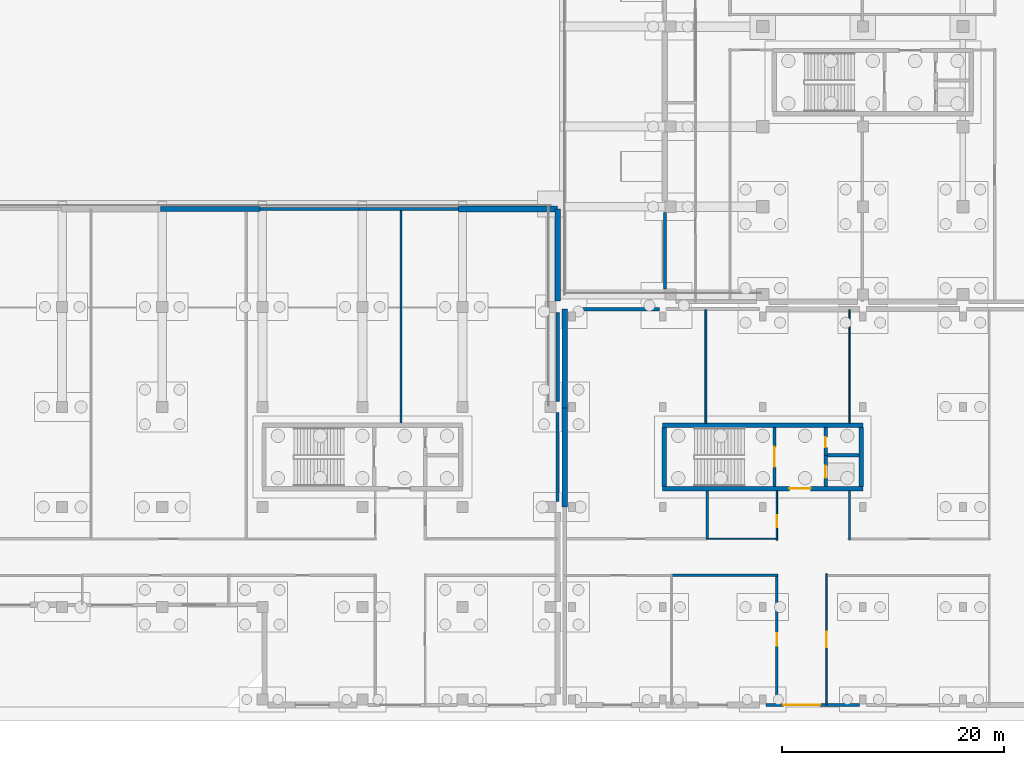
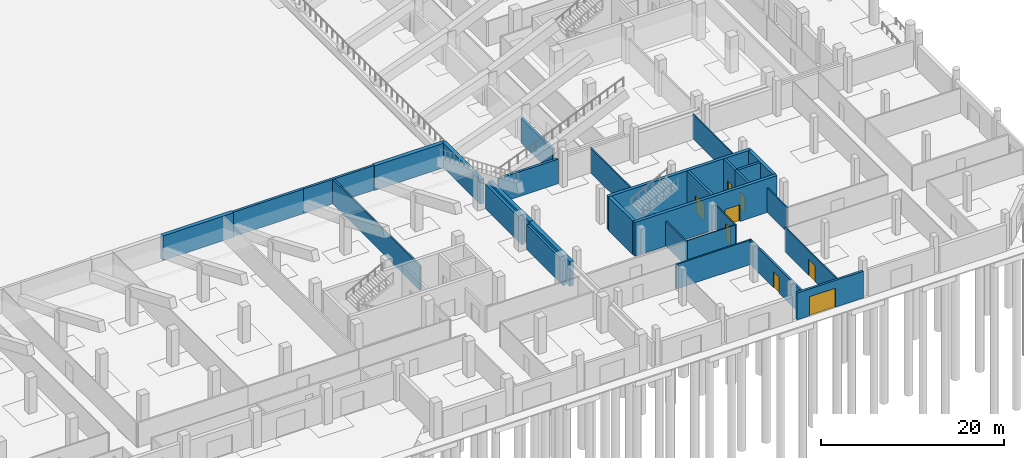
# One storey, part 25 of 53: 30 walls, 8 doors, 8 openings.
"""IFC4 building model written with IfcOpenShell, lengths in metres."""

from ifc_helpers import new_model, si_unit, direction, frame, frame_2d, origin, place, context, subcontext, project, spatial, rectangle, extrude, material, layer, layer_set, type_object, element, fill, save


model = new_model("IFC4")

# Units and contexts
model_context = context("Model", 3, precision=1e-05, world=origin(), true_north=direction((0.0, 1.0)))
body_context = subcontext(model_context, "Body", "Model", "MODEL_VIEW")
ifc_project = project(units=[si_unit("LENGTHUNIT", "METRE"), si_unit("AREAUNIT", "SQUARE_METRE"), si_unit("VOLUMEUNIT", "CUBIC_METRE"), si_unit("PLANEANGLEUNIT", "RADIAN"), si_unit("MASSUNIT", "GRAM", prefix="KILO"), si_unit("THERMODYNAMICTEMPERATUREUNIT", "KELVIN"), si_unit("POWERUNIT", "WATT")], contexts=[model_context])

# Site, building, storey
site_placement = place(None, origin())
site = spatial("IfcSite", under=ifc_project, at=site_placement, CompositionType="ELEMENT")
building_placement = place(site_placement, origin())
building = spatial("IfcBuilding", under=site, at=building_placement, Name="Sindhuravela Promenade Stadium", CompositionType="ELEMENT")
storey_placement = place(building_placement, origin())
storey = spatial("IfcBuildingStorey", under=building, at=storey_placement, Name="L00", CompositionType="ELEMENT", Elevation=0.0)

# Walls
ifc_material_1 = material(Name="Dholpur sandstone ashlar (45 MPa)", Category="masonry")
ifc_layer_1 = layer(ifc_material_1, 0.2900390625)
ifc_layer_set_1 = layer_set([ifc_layer_1], Name="Dholpur sandstone ashlar (45 MPa)")
wall_type_1 = type_object("IfcWallType", Name="EX-WL-SND290", PredefinedType="SOLIDWALL", material=ifc_layer_set_1)
wall_1_placement = place(storey_placement, frame((171.199951171875, 37.60498046875, 0.0), z_axis=(0.0, 0.0, 1.0), x_axis=(0.0, 1.0, 0.0)))
element("IfcWall", 1, at=wall_1_placement, inside=storey, type_object=wall_type_1, Name="Exterior masonry wall EW10 EAST L00", PredefinedType="SOLIDWALL", context=body_context, shape_type="SweptSolid", body=[
    extrude(rectangle(XDim=6.89013671875, YDim=0.2900390625, at=frame_2d((3.445068359375, 0.0))), origin(), (0.0, 0.0, 1.0), 3.280029296875),
])
wall_2_placement = place(storey_placement, frame((143.699951171875, 44.800048828125, 0.0), z_axis=(0.0, 0.0, 1.0), x_axis=(1.0, 0.0, 0.0)))
element("IfcWall", 2, at=wall_2_placement, inside=storey, type_object=wall_type_1, Name="Exterior masonry wall EW10 SOUTH L00", PredefinedType="SOLIDWALL", context=body_context, shape_type="SweptSolid", body=[
    extrude(rectangle(XDim=8.925048828125, YDim=0.2900390625, at=frame_2d((4.46240234375, 0.0))), origin(), (0.0, 0.0, 1.0), 3.280029296875),
])
wall_3_placement = place(storey_placement, frame((161.550048828125, 26.4951171875, 0.0), z_axis=(0.0, 0.0, 1.0), x_axis=(0.0, -1.0, 0.0)))
element("IfcWall", 3, at=wall_3_placement, inside=storey, type_object=wall_type_1, Name="Exterior masonry wall EW10 SOUTH L00", PredefinedType="SOLIDWALL", context=body_context, shape_type="SweptSolid", body=[
    extrude(rectangle(XDim=7.990234375, YDim=0.2900390625, at=frame_2d((3.9951171875, 0.0))), origin(), (0.0, 0.0, 1.0), 3.280029296875),
])

# Wall, opening, door
wall_4_placement = place(storey_placement, frame((188.695068359375, 0.199951171875, 0.0), z_axis=(0.0, 0.0, 1.0), x_axis=(-1.0, 0.0, 0.0)))
wall_4 = element("IfcWall", 4, at=wall_4_placement, inside=storey, type_object=wall_type_1, Name="Exterior masonry wall EW10 Pavilion SE L00", PredefinedType="SOLIDWALL", context=body_context, shape_type="SweptSolid", body=[
    extrude(rectangle(XDim=8.39013671875, YDim=0.2900390625, at=frame_2d((4.195068359375, 0.0))), origin(), (0.0, 0.0, 1.0), 3.580078125),
])
opening_1_placement = place(wall_4_placement, frame((3.544921875, 0.0, 0.0)))
opening_1 = element("IfcOpeningElement", 5, at=opening_1_placement, cuts=wall_4, Name="Opening E08", PredefinedType="OPENING", context=body_context, shape_type="SweptSolid", body=[
    extrude(rectangle(XDim=3.300048828125, YDim=2.550048828125, at=frame_2d((1.64990234375, 1.27490234375))), frame((0.0, 0.155029296875, 0.0), z_axis=(0.0, -1.0, 0.0), x_axis=(1.0, 0.0, 0.0)), (0.0, 0.0, 1.0), 0.31005859375),
])
ifc_material_2 = material(Name="Anodised architectural aluminium 6063-T6", Category="aluminium")
door_type_1 = type_object("IfcDoorType", Name="DR-EXIT-3300x2550", OperationType="DOUBLE_DOOR_SINGLE_SWING", PredefinedType="DOOR", material=ifc_material_2)
door_1_placement = place(opening_1_placement, origin())
door_1 = element("IfcDoor", 6, at=door_1_placement, inside=storey, type_object=door_type_1, Name="Final exit door E08", OperationType="DOUBLE_DOOR_SINGLE_SWING", OverallHeight=2.550048828125, OverallWidth=3.300048828125, PredefinedType="DOOR", context=body_context, shape_type="SweptSolid", body=[
    extrude(rectangle(XDim=3.300048828125, YDim=2.550048828125, at=frame_2d((1.64990234375, 1.27490234375))), frame((0.0, 0.02490234375, 0.0), z_axis=(0.0, -1.0, 0.0), x_axis=(1.0, 0.0, 0.0)), (0.0, 0.0, 1.0), 0.050048828125),
])
fill(opening_1, door_1)

# Walls
ifc_layer_2 = layer(ifc_material_1, 0.31005859375)
ifc_layer_set_2 = layer_set([ifc_layer_2], Name="Dholpur sandstone ashlar (45 MPa)")
wall_type_2 = type_object("IfcWallType", Name="EX-WL-SND310", PredefinedType="SOLIDWALL", material=ifc_layer_set_2)
wall_5_placement = place(storey_placement, frame((134.77490234375, 44.800048828125, 0.0), z_axis=(0.0, 0.0, 1.0), x_axis=(1.0, 0.0, 0.0)))
element("IfcWall", 7, at=wall_5_placement, inside=storey, type_object=wall_type_2, Name="Exterior masonry wall EW09 SOUTH L00", PredefinedType="SOLIDWALL", context=body_context, shape_type="SweptSolid", body=[
    extrude(rectangle(XDim=8.925048828125, YDim=0.31005859375, at=frame_2d((4.46240234375, 0.0))), origin(), (0.0, 0.0, 1.0), 3.280029296875),
])
wall_6_placement = place(storey_placement, frame((161.550048828125, 35.4951171875, 0.0), z_axis=(0.0, 0.0, 1.0), x_axis=(0.0, -1.0, 0.0)))
element("IfcWall", 8, at=wall_6_placement, inside=storey, type_object=wall_type_2, Name="Exterior masonry wall EW09 SOUTH L00", PredefinedType="SOLIDWALL", context=body_context, shape_type="SweptSolid", body=[
    extrude(rectangle(XDim=7.990234375, YDim=0.31005859375, at=frame_2d((3.9951171875, 0.0))), origin(), (0.0, 0.0, 1.0), 3.280029296875),
])
wall_7_placement = place(storey_placement, frame((163.155029296875, 35.800048828125, 0.0), z_axis=(0.0, 0.0, 1.0), x_axis=(1.0, 0.0, 0.0)))
element("IfcWall", 9, at=wall_7_placement, inside=storey, type_object=wall_type_2, Name="Exterior masonry wall EW09 Pavilion SE L00", PredefinedType="SOLIDWALL", context=body_context, shape_type="SweptSolid", body=[
    extrude(rectangle(XDim=7.5400390625, YDim=0.31005859375, at=frame_2d((3.77001953125, 0.0))), origin(), (0.0, 0.0, 1.0), 3.280029296875),
])
ifc_layer_3 = layer(ifc_material_1, 0.47998046875)
ifc_layer_set_3 = layer_set([ifc_layer_3], Name="Dholpur sandstone ashlar (45 MPa)")
wall_type_3 = type_object("IfcWallType", Name="EX-WL-SND480", PredefinedType="SOLIDWALL", material=ifc_layer_set_3)
wall_8_placement = place(storey_placement, frame((125.85009765625, 44.800048828125, 0.0), z_axis=(0.0, 0.0, 1.0), x_axis=(1.0, 0.0, 0.0)))
element("IfcWall", 10, at=wall_8_placement, inside=storey, type_object=wall_type_3, Name="Exterior masonry wall EW08 SOUTH L00", PredefinedType="SOLIDWALL", context=body_context, shape_type="SweptSolid", body=[
    extrude(rectangle(XDim=8.9248046875, YDim=0.47998046875, at=frame_2d((4.46240234375, 0.0))), origin(), (0.0, 0.0, 1.0), 3.280029296875),
])
wall_9_placement = place(storey_placement, frame((161.550048828125, 44.800048828125, 0.0), z_axis=(0.0, 0.0, 1.0), x_axis=(0.0, -1.0, 0.0)))
element("IfcWall", 11, at=wall_9_placement, inside=storey, type_object=wall_type_3, Name="Exterior masonry wall EW08 SOUTH L00", PredefinedType="SOLIDWALL", context=body_context, shape_type="SweptSolid", body=[
    extrude(rectangle(XDim=8.295166015625, YDim=0.47998046875, at=frame_2d((4.1474609375, 0.0))), origin(), (0.0, 0.0, 1.0), 3.280029296875),
])
wall_10_placement = place(storey_placement, frame((162.199951171875, 26.89990234375, 0.0), z_axis=(0.0, 0.0, 1.0), x_axis=(0.0, 1.0, 0.0)))
element("IfcWall", 12, at=wall_10_placement, inside=storey, type_object=wall_type_3, Name="Exterior masonry wall EW08 Pavilion SE L00", PredefinedType="SOLIDWALL", context=body_context, shape_type="SweptSolid", body=[
    extrude(rectangle(XDim=8.900146484375, YDim=0.47998046875, at=frame_2d((4.4501953125, 0.0))), origin(), (0.0, 0.0, 1.0), 3.280029296875),
])
ifc_layer_4 = layer(ifc_material_1, 0.5)
ifc_layer_set_4 = layer_set([ifc_layer_4], Name="Dholpur sandstone ashlar (45 MPa)")
wall_type_4 = type_object("IfcWallType", Name="EX-WL-SND500", PredefinedType="SOLIDWALL", material=ifc_layer_set_4)
wall_11_placement = place(storey_placement, frame((152.625, 44.800048828125, 0.0), z_axis=(0.0, 0.0, 1.0), x_axis=(1.0, 0.0, 0.0)))
element("IfcWall", 13, at=wall_11_placement, inside=storey, type_object=wall_type_4, Name="Exterior masonry wall EW07 SOUTH L00", PredefinedType="SOLIDWALL", context=body_context, shape_type="SweptSolid", body=[
    extrude(rectangle(XDim=8.925048828125, YDim=0.5, at=frame_2d((4.46240234375, 0.0))), origin(), (0.0, 0.0, 1.0), 3.280029296875),
])
wall_12_placement = place(storey_placement, frame((162.199951171875, 18.0, 0.0), z_axis=(0.0, 0.0, 1.0), x_axis=(0.0, 1.0, 0.0)))
element("IfcWall", 14, at=wall_12_placement, inside=storey, type_object=wall_type_4, Name="Exterior masonry wall EW07 Pavilion SE L00", PredefinedType="SOLIDWALL", context=body_context, shape_type="SweptSolid", body=[
    extrude(rectangle(XDim=8.89990234375, YDim=0.5, at=frame_2d((4.449951171875, 0.0))), origin(), (0.0, 0.0, 1.0), 3.280029296875),
])
ifc_material_3 = material(Name="Fire-rated gypsum partition board", Category="gypsum")
ifc_layer_5 = layer(ifc_material_3, 0.110107421875)
ifc_layer_set_5 = layer_set([ifc_layer_5], Name="Fire-rated gypsum partition board")
wall_type_5 = type_object("IfcWallType", Name="IN-WL-PAR110", PredefinedType="PARTITIONING", material=ifc_layer_set_5)
wall_13_placement = place(storey_placement, frame((181.340087890625, 15.139892578125, 0.0), z_axis=(0.0, 0.0, 1.0), x_axis=(-1.0, 0.0, 0.0)))
element("IfcWall", 15, at=wall_13_placement, inside=storey, type_object=wall_type_5, Name="Interior partition IW06 Pavilion SE L00", PredefinedType="PARTITIONING", context=body_context, shape_type="SweptSolid", body=[
    extrude(rectangle(XDim=6.300048828125, YDim=0.110107421875, at=frame_2d((3.14990234375, 0.0))), origin(), (0.0, 0.0, 1.0), 3.280029296875),
])
ifc_layer_6 = layer(ifc_material_3, 0.1298828125)
ifc_layer_set_6 = layer_set([ifc_layer_6], Name="Fire-rated gypsum partition board")
wall_type_6 = type_object("IfcWallType", Name="IN-WL-PAR130", PredefinedType="PARTITIONING", material=ifc_layer_set_6)
wall_14_placement = place(storey_placement, frame((187.800048828125, 25.552001953125, 0.0), z_axis=(0.0, 0.0, 1.0), x_axis=(0.0, 1.0, 0.0)))
element("IfcWall", 16, at=wall_14_placement, inside=storey, type_object=wall_type_6, Name="Interior partition IW05 Pavilion SE L00", PredefinedType="PARTITIONING", context=body_context, shape_type="SweptSolid", body=[
    extrude(rectangle(XDim=10.2080078125, YDim=0.1298828125, at=frame_2d((5.10400390625, 0.0))), origin(), (0.0, 0.0, 1.0), 3.280029296875),
])

# Wall, opening, door
wall_15_placement = place(storey_placement, frame((181.260009765625, 15.02001953125, 0.0), z_axis=(0.0, 0.0, 1.0), x_axis=(0.0, 1.0, 0.0)))
wall_15 = element("IfcWall", 17, at=wall_15_placement, inside=storey, type_object=wall_type_6, Name="Corridor partition IW05 Gate Ticketing Hall SE 6", PredefinedType="PARTITIONING", context=body_context, shape_type="SweptSolid", body=[
    extrude(rectangle(XDim=4.427978515625, YDim=0.1298828125, at=frame_2d((2.2138671875, 0.0))), origin(), (0.0, 0.0, 1.0), 3.280029296875),
])
opening_2_placement = place(wall_15_placement, frame((1.17578125, 0.0, 0.0)))
opening_2 = element("IfcOpeningElement", 18, at=opening_2_placement, cuts=wall_15, Name="Opening ID07", PredefinedType="OPENING", context=body_context, shape_type="SweptSolid", body=[
    extrude(rectangle(XDim=1.050048828125, YDim=2.10009765625, at=frame_2d((0.52490234375, 1.050048828125))), frame((0.0, 0.074951171875, 0.0), z_axis=(0.0, -1.0, 0.0), x_axis=(1.0, 0.0, 0.0)), (0.0, 0.0, 1.0), 0.14990234375),
])
ifc_material_4 = material(Name="Architectural teak timber leaf", Category="wood")
door_type_2 = type_object("IfcDoorType", Name="DR-INT-1050x2100", OperationType="NOTDEFINED", PredefinedType="DOOR", material=ifc_material_4)
door_2_placement = place(opening_2_placement, origin())
door_2 = element("IfcDoor", 19, at=door_2_placement, inside=storey, type_object=door_type_2, Name="Gate Ticketing Hall SE 6 door", OperationType="SINGLE_SWING_LEFT", OverallHeight=2.10009765625, OverallWidth=1.050048828125, PredefinedType="DOOR", context=body_context, shape_type="SweptSolid", body=[
    extrude(rectangle(XDim=1.050048828125, YDim=2.10009765625, at=frame_2d((0.52490234375, 1.050048828125))), frame((0.0, 0.02490234375, 0.0), z_axis=(0.0, -1.0, 0.0), x_axis=(1.0, 0.0, 0.0)), (0.0, 0.0, 1.0), 0.050048828125),
])
fill(opening_2, door_2)

# Wall
ifc_layer_7 = layer(ifc_material_3, 0.14990234375)
ifc_layer_set_7 = layer_set([ifc_layer_7], Name="Fire-rated gypsum partition board")
wall_type_7 = type_object("IfcWallType", Name="IN-WL-PAR150", PredefinedType="PARTITIONING", material=ifc_layer_set_7)
wall_16_placement = place(storey_placement, frame((187.800048828125, 15.06005859375, 0.0), z_axis=(0.0, 0.0, 1.0), x_axis=(0.0, 1.0, 0.0)))
element("IfcWall", 20, at=wall_16_placement, inside=storey, type_object=wall_type_7, Name="Interior partition IW04 Pavilion SE L00", PredefinedType="PARTITIONING", context=body_context, shape_type="SweptSolid", body=[
    extrude(rectangle(XDim=4.387939453125, YDim=0.14990234375, at=frame_2d((2.19384765625, 0.0))), origin(), (0.0, 0.0, 1.0), 3.280029296875),
])

# Wall, opening, door
wall_17_placement = place(storey_placement, frame((185.739990234375, 11.97998046875, 0.0), z_axis=(0.0, 0.0, 1.0), x_axis=(0.0, -1.0, 0.0)))
wall_17 = element("IfcWall", 21, at=wall_17_placement, inside=storey, type_object=wall_type_7, Name="Corridor partition IW04 Bag Check and Security Hall SE", PredefinedType="PARTITIONING", context=body_context, shape_type="SweptSolid", body=[
    extrude(rectangle(XDim=11.780029296875, YDim=0.14990234375, at=frame_2d((5.89013671875, 0.0))), origin(), (0.0, 0.0, 1.0), 3.280029296875),
])
opening_3_placement = place(wall_17_placement, frame((5.18994140625, 0.0, 0.0)))
opening_3 = element("IfcOpeningElement", 22, at=opening_3_placement, cuts=wall_17, Name="Opening ID03", PredefinedType="OPENING", context=body_context, shape_type="SweptSolid", body=[
    extrude(rectangle(XDim=1.39990234375, YDim=2.14990234375, at=frame_2d((0.699951171875, 1.074951171875))), frame((0.0, 0.0849609375, 0.0), z_axis=(0.0, -1.0, 0.0), x_axis=(1.0, 0.0, 0.0)), (0.0, 0.0, 1.0), 0.169921875),
])
door_type_3 = type_object("IfcDoorType", Name="DR-INT-1400x2150", OperationType="DOUBLE_DOOR_SINGLE_SWING", PredefinedType="DOOR", material=ifc_material_4)
door_3_placement = place(opening_3_placement, origin())
door_3 = element("IfcDoor", 23, at=door_3_placement, inside=storey, type_object=door_type_3, Name="Bag Check and Security Hall SE door", OperationType="DOUBLE_DOOR_SINGLE_SWING", OverallHeight=2.14990234375, OverallWidth=1.39990234375, PredefinedType="DOOR", context=body_context, shape_type="SweptSolid", body=[
    extrude(rectangle(XDim=1.39990234375, YDim=2.14990234375, at=frame_2d((0.699951171875, 1.074951171875))), frame((0.0, 0.02490234375, 0.0), z_axis=(0.0, -1.0, 0.0), x_axis=(1.0, 0.0, 0.0)), (0.0, 0.0, 1.0), 0.050048828125),
])
fill(opening_3, door_3)

# Walls
ifc_layer_8 = layer(ifc_material_3, 0.175048828125)
ifc_layer_set_8 = layer_set([ifc_layer_8], Name="Fire-rated gypsum partition board")
wall_type_8 = type_object("IfcWallType", Name="IN-WL-PAR175", PredefinedType="PARTITIONING", material=ifc_layer_set_8)
wall_18_placement = place(storey_placement, frame((174.8798828125, 35.760009765625, 0.0), z_axis=(0.0, 0.0, 1.0), x_axis=(0.0, -1.0, 0.0)))
element("IfcWall", 24, at=wall_18_placement, inside=storey, type_object=wall_type_8, Name="Interior partition IW03 Pavilion SE L00", PredefinedType="PARTITIONING", context=body_context, shape_type="SweptSolid", body=[
    extrude(rectangle(XDim=10.2080078125, YDim=0.175048828125, at=frame_2d((5.10400390625, 0.0))), origin(), (0.0, 0.0, 1.0), 3.280029296875),
])
ifc_layer_9 = layer(ifc_material_3, 0.195068359375)
ifc_layer_set_9 = layer_set([ifc_layer_9], Name="Fire-rated gypsum partition board")
wall_type_9 = type_object("IfcWallType", Name="IN-WL-PAR195", PredefinedType="PARTITIONING", material=ifc_layer_set_9)
wall_19_placement = place(storey_placement, frame((147.482421875, 25.552001953125, 0.0), z_axis=(0.0, 0.0, 1.0), x_axis=(0.0, 1.0, 0.0)))
element("IfcWall", 25, at=wall_19_placement, inside=storey, type_object=wall_type_9, Name="Interior partition IW02 SOUTH L00", PredefinedType="PARTITIONING", context=body_context, shape_type="SweptSolid", body=[
    extrude(rectangle(XDim=19.2080078125, YDim=0.195068359375, at=frame_2d((9.60400390625, 0.0))), origin(), (0.0, 0.0, 1.0), 3.280029296875),
])
wall_20_placement = place(storey_placement, frame((175.0, 19.447998046875, 0.0), z_axis=(0.0, 0.0, 1.0), x_axis=(0.0, -1.0, 0.0)))
element("IfcWall", 26, at=wall_20_placement, inside=storey, type_object=wall_type_9, Name="Interior partition IW02 Pavilion SE L00", PredefinedType="PARTITIONING", context=body_context, shape_type="SweptSolid", body=[
    extrude(rectangle(XDim=4.387939453125, YDim=0.195068359375, at=frame_2d((2.19384765625, 0.0))), origin(), (0.0, 0.0, 1.0), 3.280029296875),
])
wall_21_placement = place(storey_placement, frame((171.830078125, 11.860107421875, 0.0), z_axis=(0.0, 0.0, 1.0), x_axis=(1.0, 0.0, 0.0)))
element("IfcWall", 27, at=wall_21_placement, inside=storey, type_object=wall_type_9, Name="Interior partition IW02 Pavilion SE L00", PredefinedType="PARTITIONING", context=body_context, shape_type="SweptSolid", body=[
    extrude(rectangle(XDim=9.510009765625, YDim=0.195068359375, at=frame_2d((4.7548828125, 0.0))), origin(), (0.0, 0.0, 1.0), 3.280029296875),
])

# Wall, opening, door
ifc_layer_10 = layer(ifc_material_3, 0.219970703125)
ifc_layer_set_10 = layer_set([ifc_layer_10], Name="Fire-rated gypsum partition board")
wall_type_10 = type_object("IfcWallType", Name="IN-WL-PAR220", PredefinedType="PARTITIONING", material=ifc_layer_set_10)
wall_22_placement = place(storey_placement, frame((181.260009765625, 0.199951171875, 0.0), z_axis=(0.0, 0.0, 1.0), x_axis=(0.0, 1.0, 0.0)))
wall_22 = element("IfcWall", 28, at=wall_22_placement, inside=storey, type_object=wall_type_10, Name="Corridor partition IW01 Bag Check and Security Hall SE 4", PredefinedType="PARTITIONING", context=body_context, shape_type="SweptSolid", body=[
    extrude(rectangle(XDim=11.780029296875, YDim=0.219970703125, at=frame_2d((5.89013671875, 0.0))), origin(), (0.0, 0.0, 1.0), 3.280029296875),
])
opening_4_placement = place(wall_22_placement, frame((5.31494140625, 0.0, 0.0)))
opening_4 = element("IfcOpeningElement", 29, at=opening_4_placement, cuts=wall_22, Name="Opening ID05", PredefinedType="OPENING", context=body_context, shape_type="SweptSolid", body=[
    extrude(rectangle(XDim=1.14990234375, YDim=2.14990234375, at=frame_2d((0.574951171875, 1.074951171875))), frame((0.0, 0.119873046875, 0.0), z_axis=(0.0, -1.0, 0.0), x_axis=(1.0, 0.0, 0.0)), (0.0, 0.0, 1.0), 0.239990234375),
])
door_type_4 = type_object("IfcDoorType", Name="DR-INT-1150x2150", OperationType="NOTDEFINED", PredefinedType="DOOR", material=ifc_material_4)
door_4_placement = place(opening_4_placement, origin())
door_4 = element("IfcDoor", 30, at=door_4_placement, inside=storey, type_object=door_type_4, Name="Bag Check and Security Hall SE 4 door", OperationType="SINGLE_SWING_LEFT", OverallHeight=2.14990234375, OverallWidth=1.14990234375, PredefinedType="DOOR", context=body_context, shape_type="SweptSolid", body=[
    extrude(rectangle(XDim=1.14990234375, YDim=2.14990234375, at=frame_2d((0.574951171875, 1.074951171875))), frame((0.0, 0.02490234375, 0.0), z_axis=(0.0, -1.0, 0.0), x_axis=(1.0, 0.0, 0.0)), (0.0, 0.0, 1.0), 0.050048828125),
])
fill(opening_4, door_4)

ifc_material_5 = material(Name="Concrete M50", Category="concrete")
ifc_layer_11 = layer(ifc_material_5, 0.300048828125)
ifc_layer_set_11 = layer_set([ifc_layer_11], Name="Concrete M50")
wall_type_11 = type_object("IfcWallType", Name="RC-SW-300", PredefinedType="SHEAR", material=ifc_layer_set_11)
wall_23_placement = place(storey_placement, frame((181.050048828125, 19.85009765625, 0.0), z_axis=(0.0, 0.0, 1.0), x_axis=(0.0, 1.0, 0.0)))
wall_23 = element("IfcWall", 31, at=wall_23_placement, inside=storey, type_object=wall_type_11, Name="Core shear wall C14-ST (L00)", PredefinedType="SHEAR", context=body_context, shape_type="SweptSolid", body=[
    extrude(rectangle(XDim=5.2998046875, YDim=0.300048828125, at=frame_2d((2.64990234375, 0.0))), origin(), (0.0, 0.0, 1.0), 4.5),
])
opening_5_placement = place(wall_23_placement, frame((1.75, 0.0, 0.0)))
opening_5 = element("IfcOpeningElement", 32, at=opening_5_placement, cuts=wall_23, Name="Opening FD01", PredefinedType="OPENING", context=body_context, shape_type="SweptSolid", body=[
    extrude(rectangle(XDim=1.800048828125, YDim=2.25, at=frame_2d((0.89990234375, 1.125))), frame((0.0, 0.159912109375, 0.0), z_axis=(0.0, -1.0, 0.0), x_axis=(1.0, 0.0, 0.0)), (0.0, 0.0, 1.0), 0.320068359375),
])
ifc_material_6 = material(Name="Architectural wrought steel E350", Category="steel")
door_type_5 = type_object("IfcDoorType", Name="DR-CORE-1800x2250", OperationType="DOUBLE_DOOR_SINGLE_SWING", PredefinedType="DOOR", material=ifc_material_6)
door_5_placement = place(opening_5_placement, origin())
door_5 = element("IfcDoor", 33, at=door_5_placement, inside=storey, type_object=door_type_5, Name="Stair GS02 lobby fire door (L00)", OperationType="DOUBLE_DOOR_SINGLE_SWING", OverallHeight=2.25, OverallWidth=1.800048828125, PredefinedType="DOOR", context=body_context, shape_type="SweptSolid", body=[
    extrude(rectangle(XDim=1.800048828125, YDim=2.25, at=frame_2d((0.89990234375, 1.125))), frame((0.0, 0.02490234375, 0.0), z_axis=(0.0, -1.0, 0.0), x_axis=(1.0, 0.0, 0.0)), (0.0, 0.0, 1.0), 0.050048828125),
])
fill(opening_5, door_5)

wall_24_placement = place(storey_placement, frame((185.64990234375, 19.85009765625, 0.0), z_axis=(0.0, 0.0, 1.0), x_axis=(0.0, 1.0, 0.0)))
wall_24 = element("IfcWall", 34, at=wall_24_placement, inside=storey, type_object=wall_type_11, Name="Core shear wall C14-LFT (L00)", PredefinedType="SHEAR", context=body_context, shape_type="SweptSolid", body=[
    extrude(rectangle(XDim=2.7998046875, YDim=0.300048828125, at=frame_2d((1.39990234375, 0.0))), origin(), (0.0, 0.0, 1.0), 4.5),
])
opening_6_placement = place(wall_24_placement, frame((0.77490234375, 0.0, 0.0)))
opening_6 = element("IfcOpeningElement", 35, at=opening_6_placement, cuts=wall_24, Name="Opening LD", PredefinedType="OPENING", context=body_context, shape_type="SweptSolid", body=[
    extrude(rectangle(XDim=1.10009765625, YDim=2.10009765625, at=frame_2d((0.550048828125, 1.050048828125))), frame((0.0, 0.159912109375, 0.0), z_axis=(0.0, -1.0, 0.0), x_axis=(1.0, 0.0, 0.0)), (0.0, 0.0, 1.0), 0.320068359375),
])
door_type_6 = type_object("IfcDoorType", Name="DR-LFT-1100x2100", OperationType="DOUBLE_DOOR_SLIDING", PredefinedType="DOOR", material=ifc_material_6)
door_6_placement = place(opening_6_placement, origin())
door_6 = element("IfcDoor", 36, at=door_6_placement, inside=storey, type_object=door_type_6, Name="Lift PL06 landing door (L00)", OperationType="DOUBLE_DOOR_SLIDING", OverallHeight=2.10009765625, OverallWidth=1.10009765625, PredefinedType="DOOR", context=body_context, shape_type="SweptSolid", body=[
    extrude(rectangle(XDim=1.10009765625, YDim=2.10009765625, at=frame_2d((0.550048828125, 1.050048828125))), frame((0.0, 0.02490234375, 0.0), z_axis=(0.0, -1.0, 0.0), x_axis=(1.0, 0.0, 0.0)), (0.0, 0.0, 1.0), 0.050048828125),
])
fill(opening_6, door_6)

wall_25_placement = place(storey_placement, frame((185.64990234375, 22.64990234375, 0.0), z_axis=(0.0, 0.0, 1.0), x_axis=(0.0, 1.0, 0.0)))
wall_25 = element("IfcWall", 37, at=wall_25_placement, inside=storey, type_object=wall_type_11, Name="Core shear wall C14-RSR (L00)", PredefinedType="SHEAR", context=body_context, shape_type="SweptSolid", body=[
    extrude(rectangle(XDim=2.5, YDim=0.300048828125, at=frame_2d((1.25, 0.0))), origin(), (0.0, 0.0, 1.0), 4.5),
])
opening_7_placement = place(wall_25_placement, frame((0.72509765625, 0.0, 0.0)))
opening_7 = element("IfcOpeningElement", 38, at=opening_7_placement, cuts=wall_25, Name="Opening FD03", PredefinedType="OPENING", context=body_context, shape_type="SweptSolid", body=[
    extrude(rectangle(XDim=0.89990234375, YDim=2.10009765625, at=frame_2d((0.449951171875, 1.050048828125))), frame((0.0, 0.159912109375, 0.0), z_axis=(0.0, -1.0, 0.0), x_axis=(1.0, 0.0, 0.0)), (0.0, 0.0, 1.0), 0.320068359375),
])
door_type_7 = type_object("IfcDoorType", Name="DR-RSR-900x2100", OperationType="NOTDEFINED", PredefinedType="DOOR", material=ifc_material_6)
door_7_placement = place(opening_7_placement, origin())
door_7 = element("IfcDoor", 39, at=door_7_placement, inside=storey, type_object=door_type_7, Name="Riser shaft access door C14 (L00)", OperationType="SINGLE_SWING_LEFT", OverallHeight=2.10009765625, OverallWidth=0.89990234375, PredefinedType="DOOR", context=body_context, shape_type="SweptSolid", body=[
    extrude(rectangle(XDim=0.89990234375, YDim=2.10009765625, at=frame_2d((0.449951171875, 1.050048828125))), frame((0.0, 0.02490234375, 0.0), z_axis=(0.0, -1.0, 0.0), x_axis=(1.0, 0.0, 0.0)), (0.0, 0.0, 1.0), 0.050048828125),
])
fill(opening_7, door_7)

# Wall
wall_26_placement = place(storey_placement, frame((185.800048828125, 22.64990234375, 0.0), z_axis=(0.0, 0.0, 1.0), x_axis=(1.0, 0.0, 0.0)))
element("IfcWall", 40, at=wall_26_placement, inside=storey, type_object=wall_type_11, Name="Core shear wall C14-DIV (L00)", PredefinedType="SHEAR", context=body_context, shape_type="SweptSolid", body=[
    extrude(rectangle(XDim=2.849853515625, YDim=0.300048828125, at=frame_2d((1.4248046875, 0.0))), origin(), (0.0, 0.0, 1.0), 4.5),
])

# Wall, opening, door
ifc_layer_12 = layer(ifc_material_5, 0.39990234375)
ifc_layer_set_12 = layer_set([ifc_layer_12], Name="Concrete M50")
wall_type_12 = type_object("IfcWallType", Name="RC-SW-400", PredefinedType="SHEAR", material=ifc_layer_set_12)
wall_27_placement = place(storey_placement, frame((171.0, 19.64990234375, 0.0), z_axis=(0.0, 0.0, 1.0), x_axis=(1.0, 0.0, 0.0)))
wall_27 = element("IfcWall", 41, at=wall_27_placement, inside=storey, type_object=wall_type_12, Name="Core shear wall C14-S (L00)", PredefinedType="SHEAR", context=body_context, shape_type="SweptSolid", body=[
    extrude(rectangle(XDim=18.0, YDim=0.39990234375, at=frame_2d((9.0, 0.0))), origin(), (0.0, 0.0, 1.0), 4.5),
])
opening_8_placement = place(wall_27_placement, frame((11.39990234375, 0.0, 0.0)))
opening_8 = element("IfcOpeningElement", 42, at=opening_8_placement, cuts=wall_27, Name="Opening FD02", PredefinedType="OPENING", context=body_context, shape_type="SweptSolid", body=[
    extrude(rectangle(XDim=1.89990234375, YDim=2.25, at=frame_2d((0.949951171875, 1.125))), frame((0.0, 0.2099609375, 0.0), z_axis=(0.0, -1.0, 0.0), x_axis=(1.0, 0.0, 0.0)), (0.0, 0.0, 1.0), 0.419921875),
])
door_type_8 = type_object("IfcDoorType", Name="DR-LOB-1900x2250", OperationType="DOUBLE_DOOR_SINGLE_SWING", PredefinedType="DOOR", material=ifc_material_6)
door_8_placement = place(opening_8_placement, origin())
door_8 = element("IfcDoor", 43, at=door_8_placement, inside=storey, type_object=door_type_8, Name="Protected lobby entrance door C14 (L00)", OperationType="DOUBLE_DOOR_SINGLE_SWING", OverallHeight=2.25, OverallWidth=1.89990234375, PredefinedType="DOOR", context=body_context, shape_type="SweptSolid", body=[
    extrude(rectangle(XDim=1.89990234375, YDim=2.25, at=frame_2d((0.949951171875, 1.125))), frame((0.0, 0.02490234375, 0.0), z_axis=(0.0, -1.0, 0.0), x_axis=(1.0, 0.0, 0.0)), (0.0, 0.0, 1.0), 0.050048828125),
])
fill(opening_8, door_8)

# Walls
wall_28_placement = place(storey_placement, frame((189.0, 25.35009765625, 0.0), z_axis=(0.0, 0.0, 1.0), x_axis=(-1.0, 0.0, 0.0)))
element("IfcWall", 44, at=wall_28_placement, inside=storey, type_object=wall_type_12, Name="Core shear wall C14-N (L00)", PredefinedType="SHEAR", context=body_context, shape_type="SweptSolid", body=[
    extrude(rectangle(XDim=18.0, YDim=0.39990234375, at=frame_2d((9.0, 0.0))), origin(), (0.0, 0.0, 1.0), 4.5),
])
for number, where, z_axis, x_axis, name in (
    (45, (171.14990234375, 25.14990234375, 0.0), (0.0, 0.0, 1.0), (0.0, -1.0, 0.0), "Core shear wall C14-W (L00)"),
    (46, (188.85009765625, 19.85009765625, 0.0), (0.0, 0.0, 1.0), (0.0, 1.0, 0.0), "Core shear wall C14-E (L00)"),
):
    element("IfcWall", number, at=place(storey_placement, frame(where, z_axis=z_axis, x_axis=x_axis)), inside=storey, type_object=wall_type_12, Name=name, PredefinedType="SHEAR", context=body_context, shape_type="SweptSolid", body=[
        extrude(rectangle(XDim=5.2998046875, YDim=0.39990234375, at=frame_2d((2.64990234375, 0.0))), origin(), (0.0, 0.0, 1.0), 4.5),
    ])

save(model, "model.ifc")
